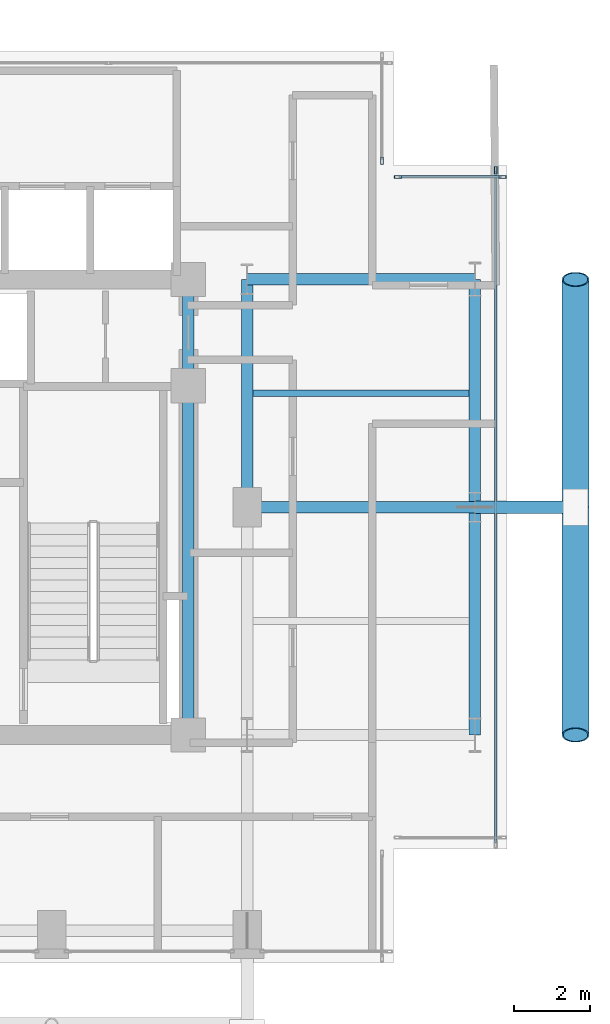
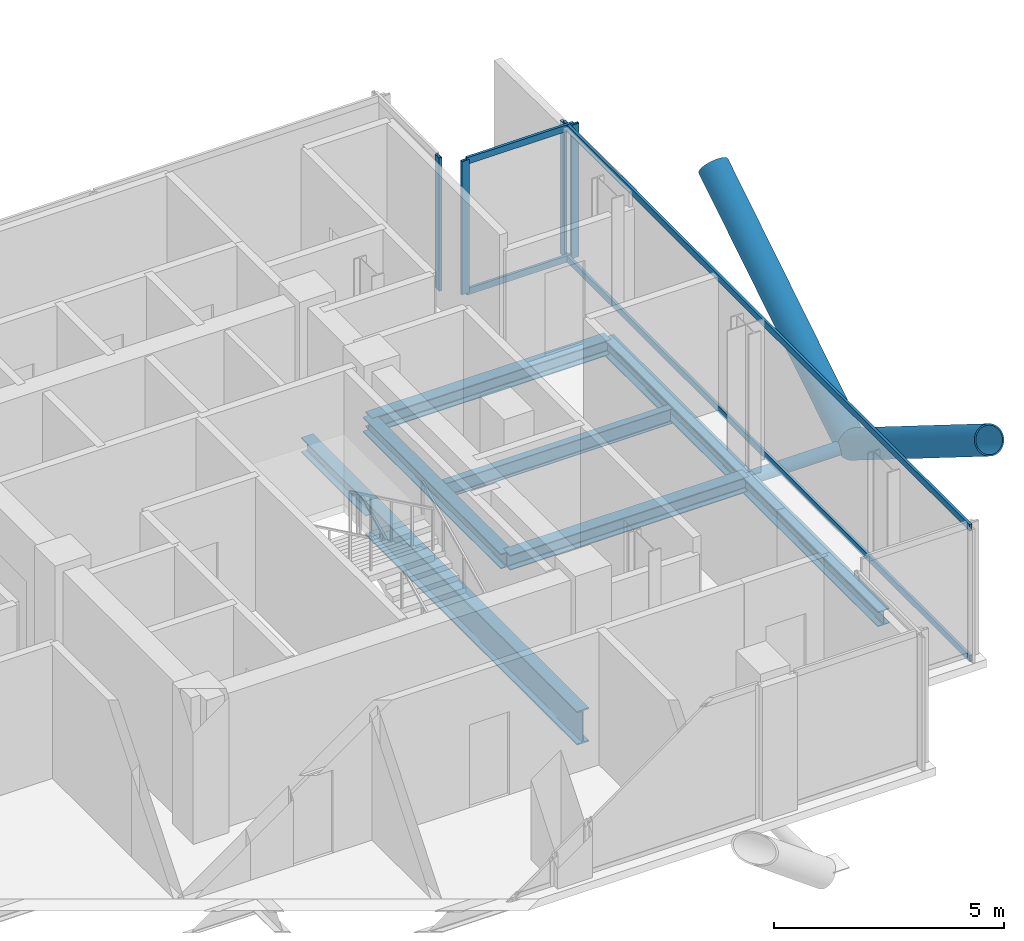
# One storey, part 11 of 22: 11 members, 8 beams, 3 elements without a shape of their own.
"""IFC4 building model written with IfcOpenShell, lengths in metres."""

from ifc_helpers import new_model, si_unit, direction, frame, origin, origin_2d, place, context, subcontext, project, spatial, hollow_rectangle, hollow_circle, i_section, extrude, material, layer, layer_set, material_profile, profile_set, type_object, element, aggregate, save


model = new_model("IFC4")

# Units and contexts
model_context = context("Model", 3, precision=1e-05, world=origin(), true_north=direction((0.0, 1.0)))
body_context = subcontext(model_context, "Body", "Model", "MODEL_VIEW")
ifc_project = project(units=[si_unit("LENGTHUNIT", "METRE"), si_unit("AREAUNIT", "SQUARE_METRE"), si_unit("VOLUMEUNIT", "CUBIC_METRE"), si_unit("PLANEANGLEUNIT", "RADIAN"), si_unit("MASSUNIT", "GRAM", prefix="KILO"), si_unit("THERMODYNAMICTEMPERATUREUNIT", "KELVIN"), si_unit("POWERUNIT", "WATT")], contexts=[model_context])

# Site, building, storey
site_placement = place(None, origin())
site = spatial("IfcSite", under=ifc_project, at=site_placement, CompositionType="ELEMENT")
building_placement = place(site_placement, origin())
building = spatial("IfcBuilding", under=site, at=building_placement, Name="Svarakhadi Broadcast Tower", CompositionType="ELEMENT")
storey_placement = place(building_placement, frame((0.0, 0.0, 176.699951171875)))
storey = spatial("IfcBuildingStorey", under=building, at=storey_placement, Name="L43", CompositionType="ELEMENT", Elevation=176.699951171875)

# Beam
ifc_material_1 = material(Name="Steel S355J2 (IS 2062 E350C)", Category="steel")
ifc_material_profile_1 = material_profile(ifc_material_1, i_section(OverallWidth=0.179931640625, OverallDepth=0.39990234375, WebThickness=0.008544921875, FlangeThickness=0.013427734375, FilletRadius=0.02099609375, at=origin_2d()), Name="NPB 400x180x66")
ifc_profile_set_1 = profile_set([ifc_material_profile_1], Name="Steel S355J2 (IS 2062 E350C)")
beam_type_1 = type_object("IfcBeamType", Name="Beam_NPB400", PredefinedType="BEAM", material=ifc_profile_set_1)
beam_1_placement = place(storey_placement, frame((35.31005859375, 15.0, -0.409912109375), z_axis=(1.0, 0.0, 0.0), x_axis=(0.0, 1.0, 0.0)))
element("IfcBeam", 1, at=beam_1_placement, inside=storey, type_object=beam_type_1, Name="L43 Secondary Composite Beam SB017", PredefinedType="BEAM", context=body_context, shape_type="SweptSolid", body=[
    extrude(i_section(OverallWidth=0.179931640625, OverallDepth=0.39990234375, WebThickness=0.008544921875, FlangeThickness=0.013427734375, FilletRadius=0.02099609375, at=origin_2d()), origin(), (0.0, 0.0, 1.0), 5.679931640625),
])

# Curtain wall, member
ifc_material_2 = material(Name="Anodised Bronze Aluminium AA 6063-T6", Category="aluminium")
ifc_layer = layer(ifc_material_2, 0.18994140625)
ifc_layer_set = layer_set([ifc_layer], Name="Anodised Bronze Aluminium AA 6063-T6")
curtain_wall_type = type_object("IfcCurtainWallType", Name="CW_Sys_04", PredefinedType="NOTDEFINED", material=ifc_layer_set)
curtain_wall_1_placement = place(storey_placement, origin())
curtain_wall_1 = element("IfcCurtainWall", 2, at=curtain_wall_1_placement, inside=storey, type_object=curtain_wall_type, Name="L43 Unitised Facade Curtain Wall 11", PredefinedType="NOTDEFINED")
ifc_material_profile_2 = material_profile(ifc_material_2, hollow_rectangle(XDim=0.070068359375, YDim=0.18994140625, WallThickness=0.005615234375, at=origin_2d()), Name="ALU MULLION 190x70x6")
ifc_profile_set_2 = profile_set([ifc_material_profile_2], Name="Anodised Bronze Aluminium AA 6063-T6")
member_type_1 = type_object("IfcMemberType", Name="CW_Sys_04_Mul", PredefinedType="MULLION", material=ifc_profile_set_2)
member_1_placement = place(storey_placement, frame((38.699951171875, 21.125, 0.0), z_axis=(0.0, 0.0, 1.0), x_axis=(1.0, 0.0, 0.0)))
member_1 = element("IfcMember", 3, at=member_1_placement, type_object=member_type_1, Name="CW-04 mullion 2", PredefinedType="MULLION", context=body_context, shape_type="SweptSolid", body=[
    extrude(hollow_rectangle(XDim=0.070068359375, YDim=0.18994140625, WallThickness=0.005615234375, at=origin_2d()), origin(), (0.0, 0.0, 1.0), 3.5400390625),
])
aggregate(curtain_wall_1, [member_1])

# Curtain wall, members
curtain_wall_2_placement = place(storey_placement, origin())
curtain_wall_2 = element("IfcCurtainWall", 4, at=curtain_wall_2_placement, inside=storey, type_object=curtain_wall_type, Name="L43 Unitised Facade Curtain Wall 12", PredefinedType="NOTDEFINED")
member_2_placement = place(storey_placement, frame((39.125, 20.699951171875, 0.0), z_axis=(0.0, 0.0, 1.0), x_axis=(0.0, 1.0, 0.0)))
member_2 = element("IfcMember", 5, at=member_2_placement, type_object=member_type_1, Name="CW-04 mullion 1", PredefinedType="MULLION", context=body_context, shape_type="SweptSolid", body=[
    extrude(hollow_rectangle(XDim=0.070068359375, YDim=0.18994140625, WallThickness=0.005615234375, at=origin_2d()), origin(), (0.0, 0.0, 1.0), 3.5400390625),
])
member_3_placement = place(storey_placement, frame((41.875, 20.699951171875, 0.0), z_axis=(0.0, 0.0, 1.0), x_axis=(0.0, 1.0, 0.0)))
member_3 = element("IfcMember", 6, at=member_3_placement, type_object=member_type_1, Name="CW-04 mullion 2", PredefinedType="MULLION", context=body_context, shape_type="SweptSolid", body=[
    extrude(hollow_rectangle(XDim=0.070068359375, YDim=0.18994140625, WallThickness=0.005615234375, at=origin_2d()), origin(), (0.0, 0.0, 1.0), 3.5400390625),
])

# Curtain wall, member
curtain_wall_3_placement = place(storey_placement, origin())
curtain_wall_3 = element("IfcCurtainWall", 7, at=curtain_wall_3_placement, inside=storey, type_object=curtain_wall_type, Name="L43 Unitised Facade Curtain Wall 13", PredefinedType="NOTDEFINED")
member_4_placement = place(storey_placement, frame((41.699951171875, 20.875, 0.0), z_axis=(0.0, 0.0, 1.0), x_axis=(1.0, 0.0, 0.0)))
member_4 = element("IfcMember", 8, at=member_4_placement, type_object=member_type_1, Name="CW-04 mullion 1", PredefinedType="MULLION", context=body_context, shape_type="SweptSolid", body=[
    extrude(hollow_rectangle(XDim=0.070068359375, YDim=0.18994140625, WallThickness=0.005615234375, at=origin_2d()), origin(), (0.0, 0.0, 1.0), 3.5400390625),
])

# Member
ifc_material_profile_3 = material_profile(ifc_material_2, hollow_rectangle(XDim=0.06494140625, YDim=0.175048828125, WallThickness=0.0048828125, at=origin_2d()), Name="ALU TRANSOM 175x65x5")
ifc_profile_set_3 = profile_set([ifc_material_profile_3], Name="Anodised Bronze Aluminium AA 6063-T6")
member_type_2 = type_object("IfcMemberType", Name="CW_Sys_04_Trn", PredefinedType="USERDEFINED", material=ifc_profile_set_3)
member_5_placement = place(storey_placement, frame((39.159912109375, 20.699951171875, 0.032470703125), z_axis=(1.0, 0.0, 0.0), x_axis=(0.0, 1.0, 0.0)))
member_5 = element("IfcMember", 9, at=member_5_placement, type_object=member_type_2, Name="CW-04 transom 1.1", ObjectType="TRANSOM", PredefinedType="USERDEFINED", context=body_context, shape_type="SweptSolid", body=[
    extrude(hollow_rectangle(XDim=0.06494140625, YDim=0.175048828125, WallThickness=0.0048828125, at=origin_2d()), origin(), (0.0, 0.0, 1.0), 2.68017578125),
])

member_6_placement = place(storey_placement, frame((39.159912109375, 20.699951171875, 3.507568359375), z_axis=(1.0, 0.0, 0.0), x_axis=(0.0, 1.0, 0.0)))
member_6 = element("IfcMember", 10, at=member_6_placement, type_object=member_type_2, Name="CW-04 transom 1.2", ObjectType="TRANSOM", PredefinedType="USERDEFINED", context=body_context, shape_type="SweptSolid", body=[
    extrude(hollow_rectangle(XDim=0.06494140625, YDim=0.175048828125, WallThickness=0.0048828125, at=origin_2d()), origin(), (0.0, 0.0, 1.0), 2.68017578125),
])

aggregate(curtain_wall_2, [member_2, member_3, member_5, member_6])

member_7_placement = place(storey_placement, frame((41.699951171875, 20.840087890625, 0.032470703125), z_axis=(0.0, -1.0, 0.0), x_axis=(1.0, 0.0, 0.0)))
member_7 = element("IfcMember", 11, at=member_7_placement, type_object=member_type_2, Name="CW-04 transom 1.1", ObjectType="TRANSOM", PredefinedType="USERDEFINED", context=body_context, shape_type="SweptSolid", body=[
    extrude(hollow_rectangle(XDim=0.06494140625, YDim=0.175048828125, WallThickness=0.0048828125, at=origin_2d()), origin(), (0.0, 0.0, 1.0), 17.68017578125),
])

member_8_placement = place(storey_placement, frame((41.699951171875, 20.840087890625, 3.507568359375), z_axis=(0.0, -1.0, 0.0), x_axis=(1.0, 0.0, 0.0)))
member_8 = element("IfcMember", 12, at=member_8_placement, type_object=member_type_2, Name="CW-04 transom 1.2", ObjectType="TRANSOM", PredefinedType="USERDEFINED", context=body_context, shape_type="SweptSolid", body=[
    extrude(hollow_rectangle(XDim=0.06494140625, YDim=0.175048828125, WallThickness=0.0048828125, at=origin_2d()), origin(), (0.0, 0.0, 1.0), 17.68017578125),
])

aggregate(curtain_wall_3, [member_4, member_7, member_8])

# Members
ifc_material_3 = material(Name="Steel S460ML (IS 2062 E450BR)", Category="steel")
ifc_material_profile_4 = material_profile(ifc_material_3, hollow_circle(Radius=0.35546875, WallThickness=0.034912109375, at=origin_2d()), Name="CHS 711x35")
ifc_profile_set_4 = profile_set([ifc_material_profile_4], Name="Steel S460ML (IS 2062 E450BR)")
member_type_3 = type_object("IfcMemberType", Name="Exo_Brace_CHS711", PredefinedType="BRACE", material=ifc_profile_set_4)
for number, where, z_axis, x_axis, name in (
    (13, (43.800048828125, 12.0, -0.371826171875), (0.0, -0.847998304005, 0.529998940003), (1.0, 0.0, 0.0), "L43 Exposed Bronze Exoskeleton Diagonal E04"),
    (14, (43.800048828125, 12.0, -0.371826171875), (0.0, 0.847998304005, 0.529998940003), (-1.0, 0.0, 0.0), "L43 Exposed Bronze Exoskeleton Diagonal E05"),
):
    element("IfcMember", number, at=place(storey_placement, frame(where, z_axis=z_axis, x_axis=x_axis)), inside=storey, type_object=member_type_3, Name=name, PredefinedType="BRACE", context=body_context, shape_type="SweptSolid", body=[
        extrude(hollow_circle(Radius=0.35546875, WallThickness=0.034912109375, at=origin_2d()), origin(), (0.0, 0.0, 1.0), 7.075439453125),
    ])
ifc_material_profile_5 = material_profile(ifc_material_3, hollow_circle(Radius=0.161865234375, WallThickness=0.01611328125, at=origin_2d()), Name="CHS 323.9x16")
ifc_profile_set_5 = profile_set([ifc_material_profile_5], Name="Steel S460ML (IS 2062 E450BR)")
member_type_4 = type_object("IfcMemberType", Name="Exo_Radial_Strut_Z2", PredefinedType="STRUT", material=ifc_profile_set_5)
member_9_placement = place(storey_placement, frame((43.800048828125, 12.0, -0.371826171875), z_axis=(-1.0, 0.0, 0.0), x_axis=(0.0, -1.0, 0.0)))
element("IfcMember", 15, at=member_9_placement, inside=storey, type_object=member_type_4, Name="L43 Exoskeleton Radial Tie Strut E04", PredefinedType="STRUT", context=body_context, shape_type="SweptSolid", body=[
    extrude(hollow_circle(Radius=0.161865234375, WallThickness=0.01611328125, at=origin_2d()), origin(), (0.0, 0.0, 1.0), 2.650146484375),
])

# Beams
ifc_material_profile_6 = material_profile(ifc_material_1, i_section(OverallWidth=0.300048828125, OverallDepth=0.39990234375, WebThickness=0.013427734375, FlangeThickness=0.02392578125, FilletRadius=0.027099609375, at=origin_2d()), Name="WPB 400x300x155")
ifc_profile_set_6 = profile_set([ifc_material_profile_6], Name="Steel S355J2 (IS 2062 E350C)")
beam_type_2 = type_object("IfcBeamType", Name="Girder_WPB400", PredefinedType="USERDEFINED", material=ifc_profile_set_6)
for number, where, z_axis, x_axis, name in (
    (16, (35.14990234375, 12.0, -0.409912109375), (1.0, 0.0, 0.0), (0.0, 1.0, 0.0), "L43 Primary E-W Girder G019"),
    (17, (35.14990234375, 18.0, -0.409912109375), (1.0, 0.0, 0.0), (0.0, 1.0, 0.0), "L43 Primary E-W Girder G025"),
):
    element("IfcBeam", number, at=place(storey_placement, frame(where, z_axis=z_axis, x_axis=x_axis)), inside=storey, type_object=beam_type_2, Name=name, ObjectType="GIRDER", PredefinedType="USERDEFINED", context=body_context, shape_type="SweptSolid", body=[
        extrude(i_section(OverallWidth=0.300048828125, OverallDepth=0.39990234375, WebThickness=0.013427734375, FlangeThickness=0.02392578125, FilletRadius=0.027099609375, at=origin_2d()), origin(), (0.0, 0.0, 1.0), 6.0),
    ])
beam_2_placement = place(storey_placement, frame((33.60009765625, 15.199951171875, -0.409912109375), z_axis=(0.0, 1.0, 0.0), x_axis=(-1.0, 0.0, 0.0)))
element("IfcBeam", 18, at=beam_2_placement, inside=storey, type_object=beam_type_2, Name="L43 Primary N-S Girder G055", ObjectType="GIRDER", PredefinedType="USERDEFINED", context=body_context, shape_type="SweptSolid", body=[
    extrude(i_section(OverallWidth=0.300048828125, OverallDepth=0.39990234375, WebThickness=0.013427734375, FlangeThickness=0.02392578125, FilletRadius=0.027099609375, at=origin_2d()), origin(), (0.0, 0.0, 1.0), 2.800048828125),
])
for number, where, z_axis, x_axis, name in (
    (19, (35.14990234375, 12.0, -0.409912109375), (0.0, 1.0, 0.0), (-1.0, 0.0, 0.0), "L43 Primary N-S Girder G058"),
    (20, (41.14990234375, 6.0, -0.409912109375), (0.0, 1.0, 0.0), (-1.0, 0.0, 0.0), "L43 Primary N-S Girder G059"),
    (21, (41.14990234375, 12.0, -0.409912109375), (0.0, 1.0, 0.0), (-1.0, 0.0, 0.0), "L43 Primary N-S Girder G060"),
):
    element("IfcBeam", number, at=place(storey_placement, frame(where, z_axis=z_axis, x_axis=x_axis)), inside=storey, type_object=beam_type_2, Name=name, ObjectType="GIRDER", PredefinedType="USERDEFINED", context=body_context, shape_type="SweptSolid", body=[
        extrude(i_section(OverallWidth=0.300048828125, OverallDepth=0.39990234375, WebThickness=0.013427734375, FlangeThickness=0.02392578125, FilletRadius=0.027099609375, at=origin_2d()), origin(), (0.0, 0.0, 1.0), 6.0),
    ])
ifc_material_profile_7 = material_profile(ifc_material_3, i_section(OverallWidth=0.300048828125, OverallDepth=0.89990234375, WebThickness=0.0185546875, FlangeThickness=0.034912109375, FilletRadius=0.030029296875, at=origin_2d()), Name="WPB 900x300x291")
ifc_profile_set_7 = profile_set([ifc_material_profile_7], Name="Steel S460ML (IS 2062 E450BR)")
beam_type_3 = type_object("IfcBeamType", Name="Girder_WPB900", PredefinedType="USERDEFINED", material=ifc_profile_set_7)
beam_3_placement = place(storey_placement, frame((33.60009765625, 6.0, -0.659912109375), z_axis=(0.0, 1.0, 0.0), x_axis=(-1.0, 0.0, 0.0)))
element("IfcBeam", 22, at=beam_3_placement, inside=storey, type_object=beam_type_3, Name="L43 Primary N-S Girder G054", ObjectType="GIRDER", PredefinedType="USERDEFINED", context=body_context, shape_type="SweptSolid", body=[
    extrude(i_section(OverallWidth=0.300048828125, OverallDepth=0.89990234375, WebThickness=0.0185546875, FlangeThickness=0.034912109375, FilletRadius=0.030029296875, at=origin_2d()), origin(), (0.0, 0.0, 1.0), 9.199951171875),
])

save(model, "model.ifc")
